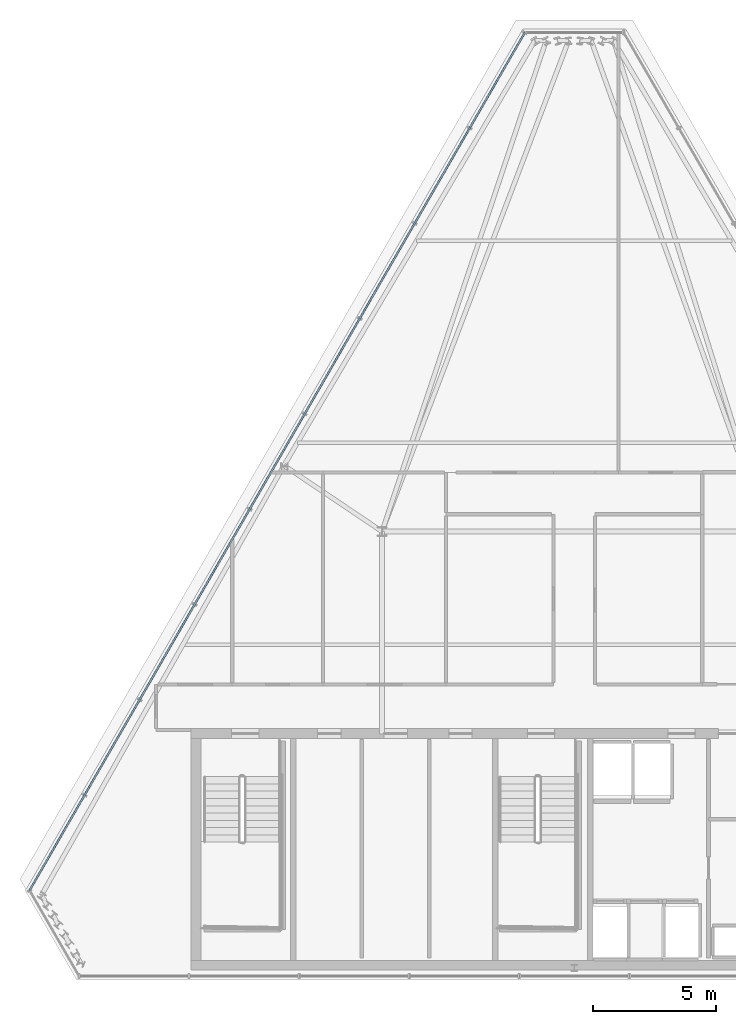
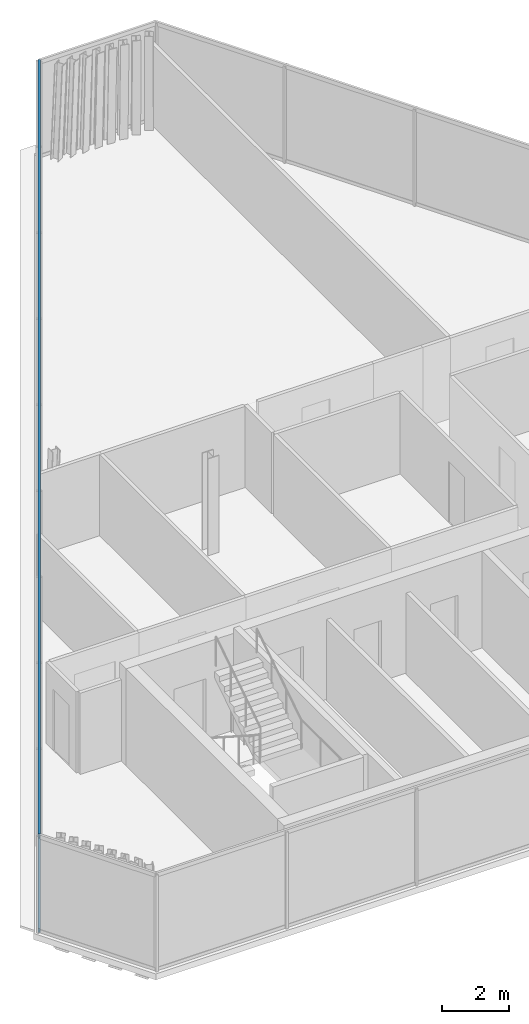
# One storey, part 12 of 32: 2 members, 1 element without a shape of its own.
"""IFC4 building model written with IfcOpenShell, lengths in metres."""

from ifc_helpers import new_model, si_unit, direction, frame, origin, origin_2d, place, context, subcontext, project, spatial, hollow_rectangle, extrude, material, layer, layer_set, material_profile, profile_set, type_object, element, aggregate, save


model = new_model("IFC4")

# Units and contexts
model_context = context("Model", 3, precision=1e-05, world=origin(), true_north=direction((0.0, 1.0)))
body_context = subcontext(model_context, "Body", "Model", "MODEL_VIEW")
ifc_project = project(units=[si_unit("LENGTHUNIT", "METRE"), si_unit("AREAUNIT", "SQUARE_METRE"), si_unit("VOLUMEUNIT", "CUBIC_METRE"), si_unit("PLANEANGLEUNIT", "RADIAN"), si_unit("MASSUNIT", "GRAM", prefix="KILO")], contexts=[model_context])

# Site, building, storey
site_placement = place(None, origin())
site = spatial("IfcSite", under=ifc_project, at=site_placement, CompositionType="ELEMENT")
building_placement = place(site_placement, origin())
building = spatial("IfcBuilding", under=site, at=building_placement, Name="Ndaravel Arena Tower", CompositionType="ELEMENT")
storey_placement = place(building_placement, frame((0.0, 0.0, 294.699951171875)))
storey = spatial("IfcBuildingStorey", under=building, at=storey_placement, Name="L72", CompositionType="ELEMENT", Elevation=294.699951171875)

# Curtain wall, members
ifc_material_1 = material(Name="Aluminium", Category="aluminium")
ifc_layer = layer(ifc_material_1, 0.179931640625)
ifc_layer_set = layer_set([ifc_layer], Name="Aluminium")
curtain_wall_type = type_object("IfcCurtainWallType", Name="CW-SYS-03", PredefinedType="NOTDEFINED", material=ifc_layer_set)
curtain_wall_placement = place(storey_placement, origin())
curtain_wall = element("IfcCurtainWall", 1, at=curtain_wall_placement, inside=storey, type_object=curtain_wall_type, Name="L72 Faceted Crystal Curtain Wall CW-L72-E05", PredefinedType="NOTDEFINED")
ifc_material_2 = material(Name="Aluminium", Category="aluminium")
ifc_material_profile = material_profile(ifc_material_2, hollow_rectangle(XDim=0.074951171875, YDim=0.14990234375, WallThickness=0.00390625, at=origin_2d()), Name="CW TRANSOM 75x150x4")
ifc_profile_set = profile_set([ifc_material_profile], Name="Aluminium")
member_type = type_object("IfcMemberType", Name="MEM-CW-TRN150", PredefinedType="USERDEFINED", material=ifc_profile_set)
member_1_placement = place(storey_placement, frame((39.9931640625, 43.445556640625, 0.0400390625), z_axis=(-0.499997260419, -0.866026985477, 0.0), x_axis=(0.866026985477, -0.499997260419, 0.0)))
member_1 = element("IfcMember", 2, at=member_1_placement, type_object=member_type, Name="CW-L72-E05 Transom 01", ObjectType="TRANSOM", PredefinedType="USERDEFINED", context=body_context, shape_type="SweptSolid", body=[
    extrude(hollow_rectangle(XDim=0.074951171875, YDim=0.14990234375, WallThickness=0.00390625, at=origin_2d()), origin(), (0.0, 0.0, 1.0), 40.194580078125),
])
member_2_placement = place(storey_placement, frame((39.9931640625, 43.445556640625, 3.47998046875), z_axis=(-0.499997260419, -0.866026985477, 0.0), x_axis=(0.866026985477, -0.499997260419, 0.0)))
member_2 = element("IfcMember", 3, at=member_2_placement, type_object=member_type, Name="CW-L72-E05 Transom 02", ObjectType="TRANSOM", PredefinedType="USERDEFINED", context=body_context, shape_type="SweptSolid", body=[
    extrude(hollow_rectangle(XDim=0.074951171875, YDim=0.14990234375, WallThickness=0.00390625, at=origin_2d()), origin(), (0.0, 0.0, 1.0), 40.194580078125),
])
aggregate(curtain_wall, [member_1, member_2])

save(model, "model.ifc")
